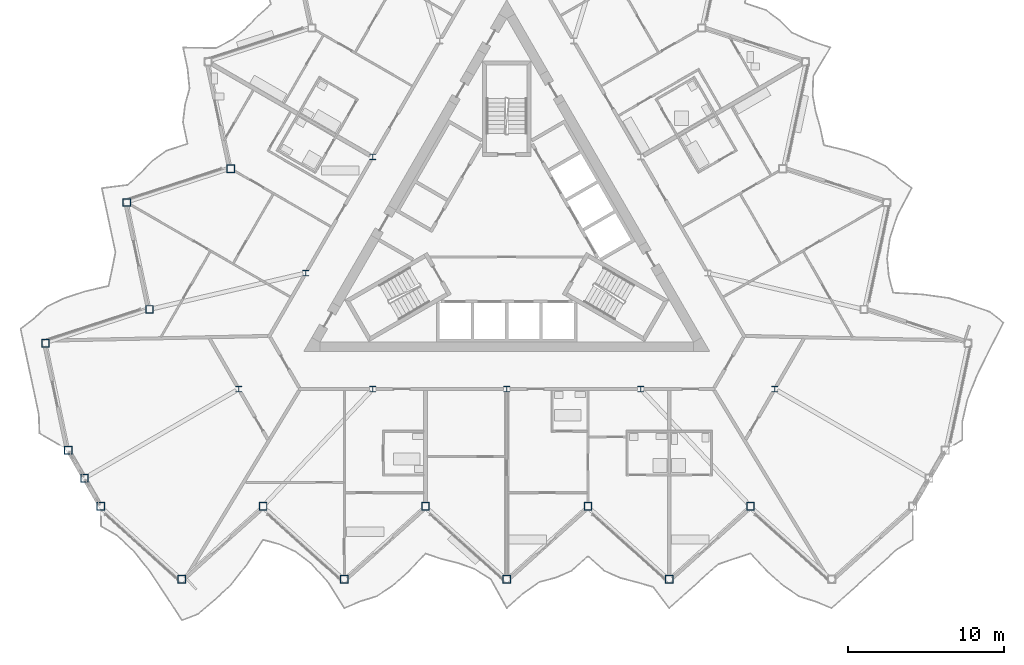
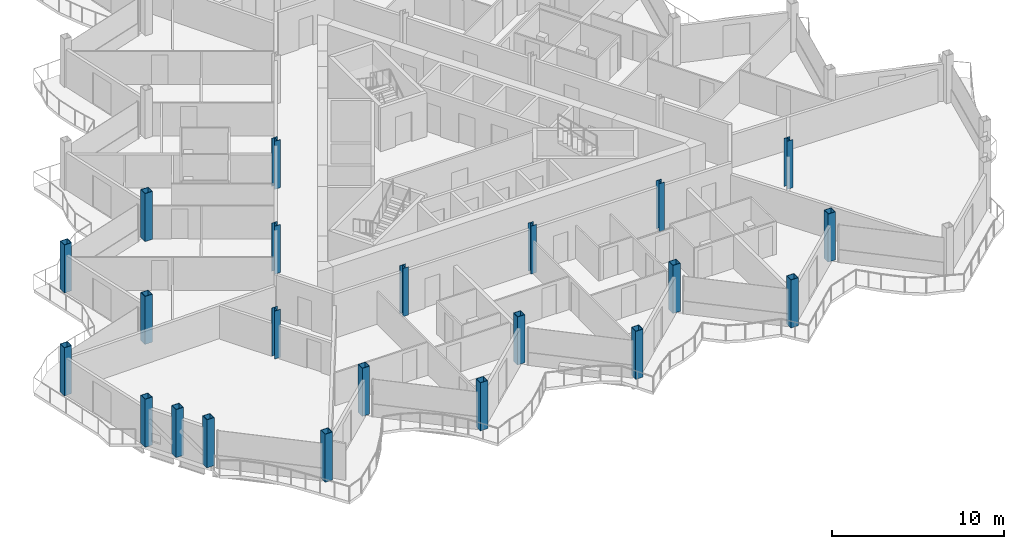
# One storey, part 1 of 25: 22 columns.
"""IFC4 building model written with IfcOpenShell, lengths in metres."""

from ifc_helpers import new_model, si_unit, direction, frame, origin, origin_2d, place, context, subcontext, project, spatial, hollow_rectangle, i_section, extrude, material, material_profile, profile_set, type_object, element, save


model = new_model("IFC4")

# Units and contexts
model_context = context("Model", 3, precision=1e-05, world=origin(), true_north=direction((0.0, 1.0)))
body_context = subcontext(model_context, "Body", "Model", "MODEL_VIEW")
ifc_project = project(units=[si_unit("LENGTHUNIT", "METRE"), si_unit("AREAUNIT", "SQUARE_METRE"), si_unit("VOLUMEUNIT", "CUBIC_METRE"), si_unit("PLANEANGLEUNIT", "RADIAN"), si_unit("MASSUNIT", "GRAM", prefix="KILO")], contexts=[model_context])

# Site, building, storey
site_placement = place(None, origin())
site = spatial("IfcSite", under=ifc_project, at=site_placement, CompositionType="ELEMENT")
building_placement = place(site_placement, origin())
building = spatial("IfcBuilding", under=site, at=building_placement, Name="Cormorant Prow Tower", CompositionType="ELEMENT")
storey_placement = place(building_placement, frame((0.0, 0.0, 395.0)))
storey = spatial("IfcBuildingStorey", under=building, at=storey_placement, Name="L90", CompositionType="ELEMENT", Elevation=395.0)

# Columns
ifc_material_1 = material(Name="Structural steel ASTM A572 Gr 50", Category="steel")
ifc_material_profile_1 = material_profile(ifc_material_1, hollow_rectangle(XDim=0.5, YDim=0.5, WallThickness=0.030029296875, at=origin_2d()), Name="Box 500x500x30")
ifc_profile_set_1 = profile_set([ifc_material_profile_1], Name="Structural steel ASTM A572 Gr 50")
column_type_1 = type_object("IfcColumnType", Name="Perimeter box column 500x500x30", PredefinedType="COLUMN", material=ifc_profile_set_1)
for number, where, z_axis, x_axis, name in (
    (1, (-26.0, -17.40576171875, 0.0), (0.0, 0.0, 1.0), (1.0, 0.0, 0.0), "Perimeter column C7 at S00 L90"),
    (2, (-20.800048828125, -22.087890625, 0.0), (0.0, 0.0, 1.0), (1.0, 0.0, 0.0), "Perimeter column C7 at S01 L90"),
    (3, (-15.60009765625, -17.40576171875, 0.0), (0.0, 0.0, 1.0), (1.0, 0.0, 0.0), "Perimeter column C7 at S02 L90"),
    (4, (-10.39990234375, -22.087890625, 0.0), (0.0, 0.0, 1.0), (1.0, 0.0, 0.0), "Perimeter column C7 at S03 L90"),
    (5, (-5.199951171875, -17.40576171875, 0.0), (0.0, 0.0, 1.0), (1.0, 0.0, 0.0), "Perimeter column C7 at S04 L90"),
    (6, (0.0, -22.087890625, 0.0), (0.0, 0.0, 1.0), (1.0, 0.0, 0.0), "Perimeter column C7 at S05 L90"),
    (7, (5.199951171875, -17.40576171875, 0.0), (0.0, 0.0, 1.0), (1.0, 0.0, 0.0), "Perimeter column C7 at S06 L90"),
    (8, (10.39990234375, -22.087890625, 0.0), (0.0, 0.0, 1.0), (1.0, 0.0, 0.0), "Perimeter column C7 at S07 L90"),
    (9, (15.60009765625, -17.40576171875, 0.0), (0.0, 0.0, 1.0), (1.0, 0.0, 0.0), "Perimeter column C7 at S08 L90"),
    (10, (-17.673828125, 4.199462890625, 0.0), (0.0, 0.0, 1.0), (1.0, 0.0, 0.0), "Perimeter column C7 at WNW06 L90"),
    (11, (-24.32861328125, 2.037353515625, 0.0), (0.0, 0.0, 1.0), (1.0, 0.0, 0.0), "Perimeter column C7 at WNW07 L90"),
    (12, (-22.873779296875, -4.80712890625, 0.0), (0.0, 0.0, 1.0), (1.0, 0.0, 0.0), "Perimeter column C7 at WNW08 L90"),
    (13, (-29.528564453125, -6.969482421875, 0.0), (0.0, 0.0, 1.0), (1.0, 0.0, 0.0), "Perimeter column C7 at WNW09 L90"),
    (14, (-28.07373046875, -13.813720703125, 0.0), (0.0, 0.0, 1.0), (1.0, 0.0, 0.0), "Perimeter column C7 at WSW00 L90"),
    (15, (-27.036865234375, -15.60986328125, 0.0), (0.0, 0.0, 1.0), (1.0, 0.0, 0.0), "Perimeter column C7 at WSW01 L90"),
):
    element("IfcColumn", number, at=place(storey_placement, frame(where, z_axis=z_axis, x_axis=x_axis)), inside=storey, type_object=column_type_1, Name=name, PredefinedType="COLUMN", context=body_context, shape_type="SweptSolid", body=[
        extrude(hollow_rectangle(XDim=0.5, YDim=0.5, WallThickness=0.030029296875, at=origin_2d()), origin(), (0.0, 0.0, 1.0), 3.39990234375),
    ])
ifc_material_2 = material(Name="Structural steel ASTM A992 Gr 50", Category="steel")
ifc_material_profile_2 = material_profile(ifc_material_2, i_section(OverallWidth=0.3740234375, OverallDepth=0.372314453125, WebThickness=0.016357421875, FlangeThickness=0.026123046875, at=origin_2d()), Name="W14x132")
ifc_profile_set_2 = profile_set([ifc_material_profile_2], Name="Structural steel ASTM A992 Gr 50")
column_type_2 = type_object("IfcColumnType", Name="Ring column W14x132", PredefinedType="COLUMN", material=ifc_profile_set_2)
for number, where, z_axis, x_axis, name in (
    (16, (-8.578369140625, 4.952880859375, 0.0), (0.0, 0.0, 1.0), (1.0, 0.0, 0.0), "Ring column 3 L90"),
    (17, (-12.86767578125, -2.476318359375, 0.0), (0.0, 0.0, 1.0), (1.0, 0.0, 0.0), "Ring column 4 L90"),
    (18, (-17.156982421875, -9.905517578125, 0.0), (0.0, 0.0, 1.0), (1.0, 0.0, 0.0), "Ring column 5 L90"),
    (19, (-8.578369140625, -9.905517578125, 0.0), (0.0, 0.0, 1.0), (1.0, 0.0, 0.0), "Ring column 6 L90"),
    (20, (0.0, -9.905517578125, 0.0), (0.0, 0.0, 1.0), (1.0, 0.0, 0.0), "Ring column 7 L90"),
    (21, (8.578369140625, -9.905517578125, 0.0), (0.0, 0.0, 1.0), (1.0, 0.0, 0.0), "Ring column 8 L90"),
    (22, (17.156982421875, -9.905517578125, 0.0), (0.0, 0.0, 1.0), (1.0, 0.0, 0.0), "Ring column 9 L90"),
):
    element("IfcColumn", number, at=place(storey_placement, frame(where, z_axis=z_axis, x_axis=x_axis)), inside=storey, type_object=column_type_2, Name=name, PredefinedType="COLUMN", context=body_context, shape_type="SweptSolid", body=[
        extrude(i_section(OverallWidth=0.3740234375, OverallDepth=0.372314453125, WebThickness=0.016357421875, FlangeThickness=0.026123046875, at=origin_2d()), origin(), (0.0, 0.0, 1.0), 3.39990234375),
    ])

save(model, "model.ifc")
